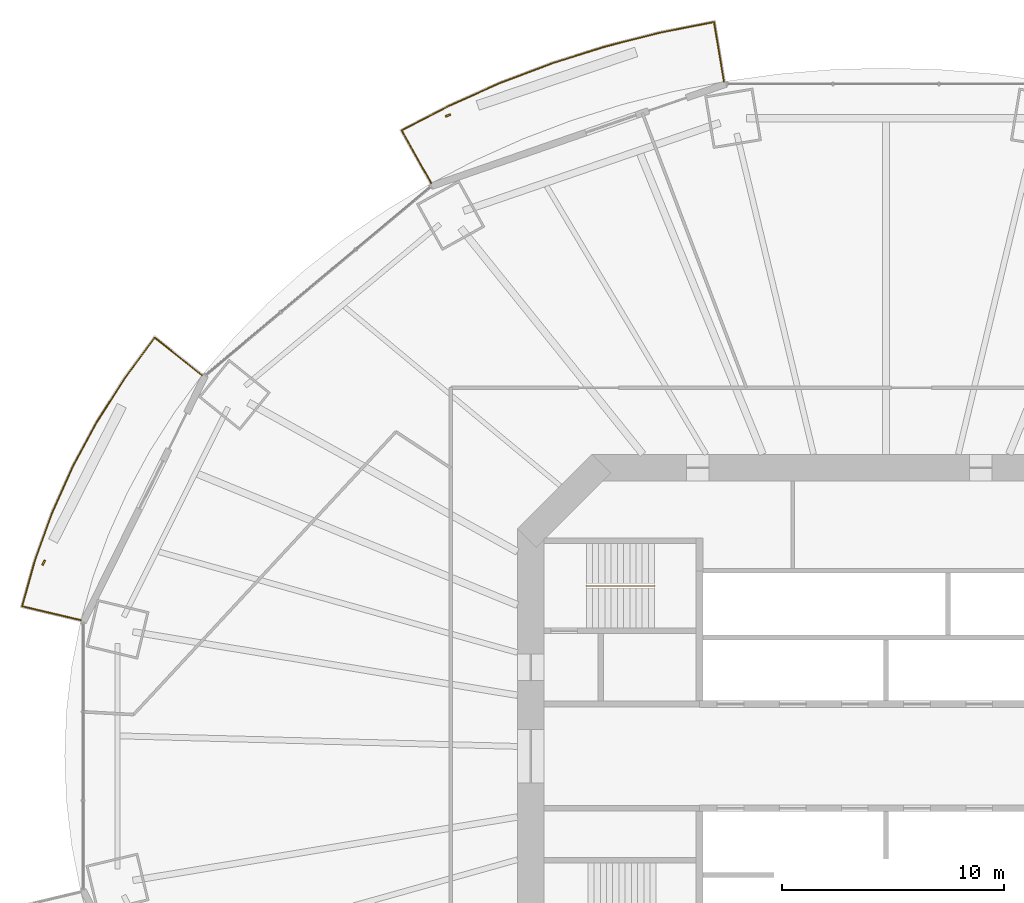
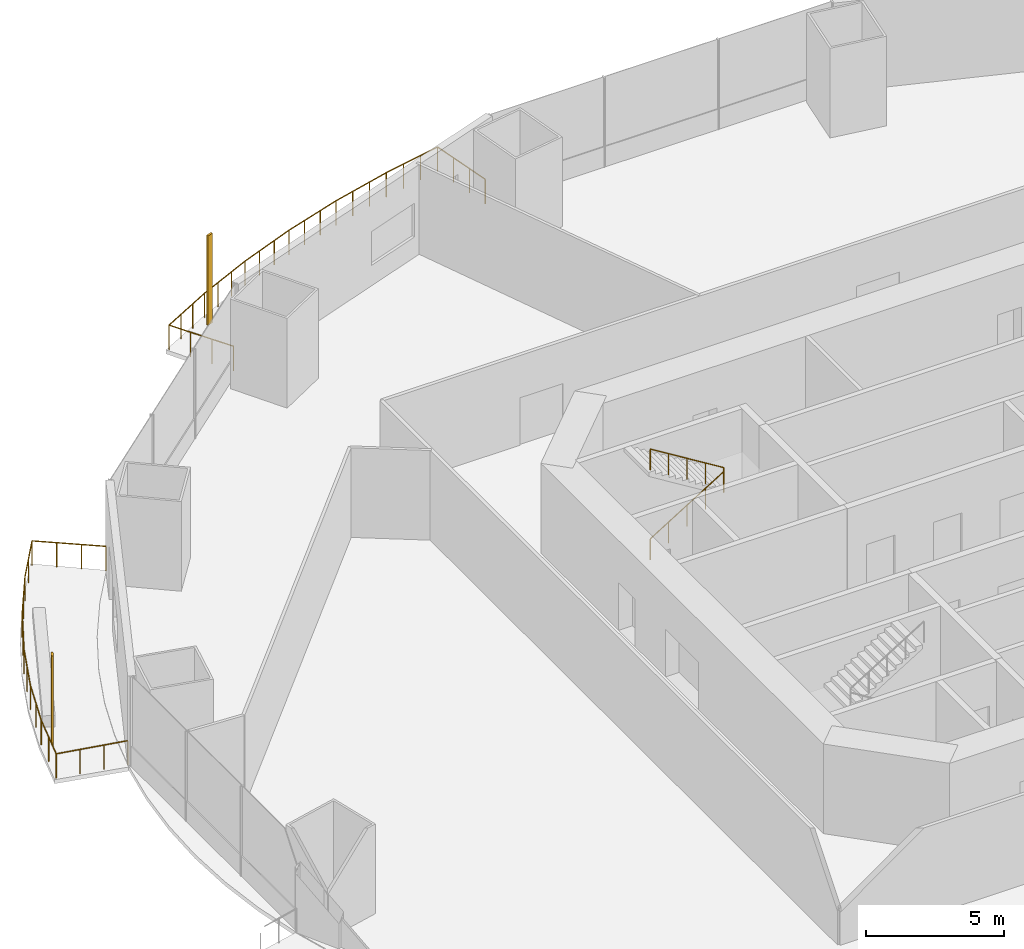
# One storey, part 20 of 23: 3 railings, 2 shading devices.
"""IFC4 building model written with IfcOpenShell, lengths in metres."""

import ifcopenshell
import ifcopenshell.guid

model = None  # the IFC model being written
_history = None  # IfcOwnerHistory: only IFC2X3 demands one
_inside = {}  # id of a spatial element -> (the spatial element, [elements in it])
_under = {}  # id of a project, library or spatial element -> (it, [spatial elements below it])
_declared = {}  # id of a project -> (the project, [libraries it declares])
_typed = {}  # id of a type object -> (the type object, [elements of that type])
_made_of = {}  # id of a material, layer set ... -> (it, [elements and type objects made of it])


def new_model(schema):
    """Start an empty IFC model of exactly this schema.

    Asked for "IFC4X3", IfcOpenShell would pick the latest addendum, in which some entities
    have other attributes; the version numbers below select the first issue.
    IFC2X3 requires an IfcOwnerHistory on every rooted entity: one is made here for all.
    """
    global model, _history
    if schema == "IFC4X3":
        model = ifcopenshell.file(schema_version=(4, 3, 0, 0))
    else:
        model = ifcopenshell.file(schema=schema)
    _inside.clear()
    _under.clear()
    _declared.clear()
    _typed.clear()
    _made_of.clear()
    _history = None
    if model.schema == "IFC2X3":
        org = make("IfcOrganization", Name="unknown")
        user = make(
            "IfcPersonAndOrganization",
            ThePerson=make("IfcPerson", FamilyName="unknown"),
            TheOrganization=org,
        )
        app = make(
            "IfcApplication",
            ApplicationDeveloper=org,
            Version="unknown",
            ApplicationFullName="unknown",
            ApplicationIdentifier="unknown",
        )
        _history = make(
            "IfcOwnerHistory",
            OwningUser=user,
            OwningApplication=app,
            ChangeAction="ADDED",
            CreationDate=0,
        )
    return model


def make(cls, **values):
    """One entity of the class cls with the attributes given. An attribute that is None is left unset."""
    return model.create_entity(
        cls, **{name: value for name, value in values.items() if value is not None}
    )


def rooted(cls, **values):
    """An entity with a GlobalId (a new one), such as an element, a storey or a relation."""
    return make(cls, GlobalId=ifcopenshell.guid.new(), OwnerHistory=_history, **values)


def si_unit(unit_type, name, prefix=None):
    """IfcSIUnit, for example si_unit("LENGTHUNIT", "METRE", prefix="MILLI")."""
    return make("IfcSIUnit", UnitType=unit_type, Prefix=prefix, Name=name)


def assignment(units):
    """IfcUnitAssignment: the units of a project."""
    return None if units is None else make("IfcUnitAssignment", Units=units)


def point(xyz):
    """IfcCartesianPoint."""
    return None if xyz is None else make("IfcCartesianPoint", Coordinates=xyz)


def direction(xyz):
    """IfcDirection."""
    return None if xyz is None else make("IfcDirection", DirectionRatios=xyz)


def frame(location, z_axis=None, x_axis=None):
    """IfcAxis2Placement3D, a coordinate frame: its origin and axes. An axis left out is left unset."""
    return make(
        "IfcAxis2Placement3D",
        Location=point(location),
        Axis=direction(z_axis),
        RefDirection=direction(x_axis),
    )


def frame_2d(location, x_axis=None):
    """IfcAxis2Placement2D, a coordinate frame in the plane: its origin and x axis."""
    return make(
        "IfcAxis2Placement2D", Location=point(location), RefDirection=direction(x_axis)
    )


def origin():
    """The frame at (0, 0, 0) with its axes left unset."""
    return frame((0.0, 0.0, 0.0))


def origin_2d():
    """The frame at (0, 0) in the plane with its x axis left unset."""
    return frame_2d((0.0, 0.0))


def place(relative_to, where):
    """IfcLocalPlacement: puts the frame where relative to a parent placement (None: the world)."""
    return make(
        "IfcLocalPlacement", PlacementRelTo=relative_to, RelativePlacement=where
    )


def context(
    kind, dimensions, precision=None, world=None, true_north=None, identifier=None
):
    """IfcGeometricRepresentationContext, for example the 3D "Model" context."""
    return make(
        "IfcGeometricRepresentationContext",
        ContextIdentifier=identifier,
        ContextType=kind,
        CoordinateSpaceDimension=dimensions,
        Precision=precision,
        WorldCoordinateSystem=world,
        TrueNorth=true_north,
    )


def subcontext(parent, identifier, kind, view, scale=None):
    """IfcGeometricRepresentationSubContext, for example "Body" below "Model"."""
    return make(
        "IfcGeometricRepresentationSubContext",
        ContextIdentifier=identifier,
        ContextType=kind,
        ParentContext=parent,
        TargetScale=scale,
        TargetView=view,
    )


def project(units=None, contexts=None):
    """IfcProject with its units and contexts."""
    return rooted(
        "IfcProject",
        Name="project",
        RepresentationContexts=contexts,
        UnitsInContext=assignment(units),
    )


def spatial(cls, under=None, at=None, **own):
    """A site, building, storey or space (cls), placed at a placement, below another one or the project."""
    s = rooted(cls, ObjectPlacement=at, **own)
    if under is not None:
        _under.setdefault(under.id(), (under, []))[1].append(s)
    return s


def profile(cls, at=None, kind="AREA", **sizes):
    """A parametric profile (cls). Its sizes go by their IFC names, for example OverallWidth=200.0."""
    return make(cls, ProfileType=kind, Position=at, **sizes)


def rectangle(**sizes):
    """IfcRectangleProfileDef."""
    return profile("IfcRectangleProfileDef", **sizes)


def circle(**sizes):
    """IfcCircleProfileDef."""
    return profile("IfcCircleProfileDef", **sizes)


def extrude(swept, where, along, depth):
    """IfcExtrudedAreaSolid: the profile swept, set in the frame where, extruded along a direction by depth."""
    return make(
        "IfcExtrudedAreaSolid",
        SweptArea=swept,
        Position=where,
        ExtrudedDirection=direction(along),
        Depth=depth,
    )


def shape(context_of_items, identifier, shape_type, items):
    """IfcShapeRepresentation: the items that make up one representation, for example the "Body"."""
    return make(
        "IfcShapeRepresentation",
        ContextOfItems=context_of_items,
        RepresentationIdentifier=identifier,
        RepresentationType=shape_type,
        Items=items,
    )


def material(Name=None, Category=None):
    """IfcMaterial."""
    return make("IfcMaterial", Name=Name, Category=Category)


def material_profile(
    of_material, cross_section, Name=None, Category=None, Priority=None
):
    """IfcMaterialProfile: a cross section and its material."""
    return make(
        "IfcMaterialProfile",
        Name=Name,
        Material=of_material,
        Profile=cross_section,
        Priority=Priority,
        Category=Category,
    )


def profile_set(profiles, Name=None, composite=None):
    """IfcMaterialProfileSet."""
    return make(
        "IfcMaterialProfileSet",
        Name=Name,
        MaterialProfiles=profiles,
        CompositeProfile=composite,
    )


def made_of(thing, what):
    """Note that an element or type object is made of a material, layer set ...; save() writes the relation."""
    if what is not None:
        _made_of.setdefault(what.id(), (what, []))[1].append(thing)
    return thing


def type_object(cls, material=None, **own):
    """A type object (cls), such as IfcWallType, which elements share."""
    return made_of(rooted(cls, **own), material)


def element(
    cls,
    number,
    at=None,
    inside=None,
    cuts=None,
    type_object=None,
    material=None,
    context=None,
    identifier="Body",
    shape_type=None,
    held_by="IfcProductDefinitionShape",
    body=None,
    shapes=None,
    **own,
):
    """One element of the class cls, such as IfcWall. Its Tag is "e" and its number.

    at: its placement. inside: the storey or other place that contains it. cuts: it is an
    opening in that element (IfcRelVoidsElement). A single representation is given by context,
    identifier, shape_type and body (its items); several are given by shapes. held_by: the class
    of the entity that holds the representations. save() writes the other relations.
    """
    e = rooted(cls, Tag="e%d" % number, ObjectPlacement=at, **own)
    if body is not None:
        shapes = [shape(context, identifier, shape_type, body)]
    if shapes is not None:
        e.Representation = make(held_by, Representations=shapes)
    if inside is not None:
        _inside.setdefault(inside.id(), (inside, []))[1].append(e)
    if cuts is not None:
        rooted(
            "IfcRelVoidsElement", RelatingBuildingElement=cuts, RelatedOpeningElement=e
        )
    if type_object is not None:
        _typed.setdefault(type_object.id(), (type_object, []))[1].append(e)
    return made_of(e, material)


def aggregate(whole, parts):
    """IfcRelAggregates: a whole, such as a stair, and the parts it consists of."""
    return rooted("IfcRelAggregates", RelatingObject=whole, RelatedObjects=parts)


def save(model, path):
    """Write the relations noted so far, then the file.

    IfcRelAggregates (storeys below a building ...), IfcRelContainedInSpatialStructure (elements
    in a storey), IfcRelDefinesByType, IfcRelAssociatesMaterial and IfcRelDeclares: one each for
    every whole, place, type object, material and project.
    """
    for whole, parts in _under.values():
        aggregate(whole, parts)
    for where, things in _inside.values():
        rooted(
            "IfcRelContainedInSpatialStructure",
            RelatedElements=things,
            RelatingStructure=where,
        )
    for kind, things in _typed.values():
        rooted("IfcRelDefinesByType", RelatedObjects=things, RelatingType=kind)
    for what, things in _made_of.values():
        rooted("IfcRelAssociatesMaterial", RelatedObjects=things, RelatingMaterial=what)
    for by, libraries in _declared.values():
        rooted("IfcRelDeclares", RelatingContext=by, RelatedDefinitions=libraries)
    model.write(path)


model = new_model("IFC4")

# Units and contexts
model_context = context("Model", 3, precision=1e-05, world=origin(), true_north=direction((0.0, 1.0)))
body_context = subcontext(model_context, "Body", "Model", "MODEL_VIEW")
ifc_project = project(units=[si_unit("LENGTHUNIT", "METRE"), si_unit("AREAUNIT", "SQUARE_METRE"), si_unit("VOLUMEUNIT", "CUBIC_METRE"), si_unit("PLANEANGLEUNIT", "RADIAN"), si_unit("MASSUNIT", "GRAM", prefix="KILO")], contexts=[model_context])

# Site, building, storey
site_placement = place(None, origin())
site = spatial("IfcSite", under=ifc_project, at=site_placement, CompositionType="ELEMENT")
building_placement = place(site_placement, origin())
building = spatial("IfcBuilding", under=site, at=building_placement, Name="Marenthal Gate Tower", CompositionType="ELEMENT")
storey_placement = place(building_placement, frame((0.0, 0.0, 41.300048828125)))
storey = spatial("IfcBuildingStorey", under=building, at=storey_placement, Name="L06", CompositionType="ELEMENT", Elevation=41.300048828125)

# Railings
ifc_material_1 = material(Name="Stainless steel", Category="steel")
railing_type_1 = type_object("IfcRailingType", Name="Balcony guard 1100", PredefinedType="GUARDRAIL", material=ifc_material_1)
railing_1_placement = place(storey_placement, frame((-20.486328125, 25.814697265625, 0.0)))
element("IfcRailing", 1, at=railing_1_placement, inside=storey, type_object=railing_type_1, Name="Balcony guard L06 bay 5", PredefinedType="GUARDRAIL", context=body_context, shape_type="SweptSolid", body=[
    extrude(circle(Radius=0.02392578125, at=origin_2d()), frame((0.0, 0.0, 1.076171875), z_axis=(-0.488673415611, 0.872342626214, -0.014718538138), x_axis=(-0.872437131701, -0.488726356184, 0.0)), (0.0, 0.0, 1.0), 2.72021484375),
    extrude(circle(Radius=0.02392578125, at=origin_2d()), frame((-1.329345703125, 2.373046875, 1.0361328125), z_axis=(0.887343289023, 0.461109409387, 0.0), x_axis=(-0.461109409387, 0.887343289023, 0.0)), (0.0, 0.0, 1.0), 2.401123046875),
    extrude(circle(Radius=0.02392578125, at=origin_2d()), frame((0.80126953125, 3.480224609375, 1.0361328125), z_axis=(0.912627469977, 0.4087922468, 0.0), x_axis=(-0.4087922468, 0.912627469977, 0.0)), (0.0, 0.0, 1.0), 2.499267578125),
    extrude(circle(Radius=0.02392578125, at=origin_2d()), frame((3.082275390625, 4.501953125, 1.0361328125), z_axis=(0.934889862007, 0.354937946572, 0.0), x_axis=(-0.354937946572, 0.934889862007, 0.0)), (0.0, 0.0, 1.0), 2.51611328125),
    extrude(circle(Radius=0.02392578125, at=origin_2d()), frame((5.4345703125, 5.39501953125, 1.0361328125), z_axis=(0.953699220219, 0.300762027778, 0.0), x_axis=(-0.300762027778, 0.953699220219, 0.0)), (0.0, 0.0, 1.0), 2.531005859375),
    extrude(circle(Radius=0.02392578125, at=origin_2d()), frame((7.848388671875, 6.15625, 1.0361328125), z_axis=(0.969175134663, 0.246372803593, 0.0), x_axis=(-0.246372803593, 0.969175134663, 0.0)), (0.0, 0.0, 1.0), 2.543701171875),
    extrude(circle(Radius=0.02392578125, at=origin_2d()), frame((10.313720703125, 6.782958984375, 1.0361328125), z_axis=(0.981295113893, 0.192509478854, 0.0), x_axis=(-0.192509478854, 0.981295113893, 0.0)), (0.0, 0.0, 1.0), 2.474365234375),
    extrude(circle(Radius=0.02392578125, at=origin_2d()), frame((12.74169921875, 7.25927734375, 1.0361328125), z_axis=(0.164512163182, -0.986265227064, 0.014719036968), x_axis=(0.986372081632, 0.164529986862, 0.0)), (0.0, 0.0, 1.0), 2.72021484375),
    extrude(circle(Radius=0.02099609375, at=origin_2d()), origin(), (0.0, 0.0, 1.0), 1.052001953125),
    extrude(circle(Radius=0.02099609375, at=origin_2d()), frame((-0.443115234375, 0.791015625, -0.013427734375)), (0.0, 0.0, 1.0), 1.052001953125),
    extrude(circle(Radius=0.02099609375, at=origin_2d()), frame((-0.88623046875, 1.58203125, -0.026611328125)), (0.0, 0.0, 1.0), 1.052001953125),
    extrude(circle(Radius=0.02099609375, at=origin_2d()), frame((-1.329345703125, 2.373046875, -0.0400390625)), (0.0, 0.0, 1.0), 1.052001953125),
    extrude(circle(Radius=0.02099609375, at=origin_2d()), frame((-0.619140625, 2.7421875, -0.0400390625)), (0.0, 0.0, 1.0), 1.052001953125),
    extrude(circle(Radius=0.02099609375, at=origin_2d()), frame((0.091064453125, 3.111083984375, -0.0400390625)), (0.0, 0.0, 1.0), 1.052001953125),
    extrude(circle(Radius=0.02099609375, at=origin_2d()), frame((0.80126953125, 3.480224609375, -0.0400390625)), (0.0, 0.0, 1.0), 1.052001953125),
    extrude(circle(Radius=0.02099609375, at=origin_2d()), frame((1.5615234375, 3.82080078125, -0.0400390625)), (0.0, 0.0, 1.0), 1.052001953125),
    extrude(circle(Radius=0.02099609375, at=origin_2d()), frame((2.322021484375, 4.161376953125, -0.0400390625)), (0.0, 0.0, 1.0), 1.052001953125),
    extrude(circle(Radius=0.02099609375, at=origin_2d()), frame((3.082275390625, 4.501953125, -0.0400390625)), (0.0, 0.0, 1.0), 1.052001953125),
    extrude(circle(Radius=0.02099609375, at=origin_2d()), frame((3.866455078125, 4.799560546875, -0.0400390625)), (0.0, 0.0, 1.0), 1.052001953125),
    extrude(circle(Radius=0.02099609375, at=origin_2d()), frame((4.650390625, 5.097412109375, -0.0400390625)), (0.0, 0.0, 1.0), 1.052001953125),
    extrude(circle(Radius=0.02099609375, at=origin_2d()), frame((5.4345703125, 5.39501953125, -0.0400390625)), (0.0, 0.0, 1.0), 1.052001953125),
    extrude(circle(Radius=0.02099609375, at=origin_2d()), frame((6.2392578125, 5.648681640625, -0.0400390625)), (0.0, 0.0, 1.0), 1.052001953125),
    extrude(circle(Radius=0.02099609375, at=origin_2d()), frame((7.043701171875, 5.902587890625, -0.0400390625)), (0.0, 0.0, 1.0), 1.052001953125),
    extrude(circle(Radius=0.02099609375, at=origin_2d()), frame((7.848388671875, 6.15625, -0.0400390625)), (0.0, 0.0, 1.0), 1.052001953125),
    extrude(circle(Radius=0.02099609375, at=origin_2d()), frame((8.670166015625, 6.365234375, -0.0400390625)), (0.0, 0.0, 1.0), 1.052001953125),
    extrude(circle(Radius=0.02099609375, at=origin_2d()), frame((9.491943359375, 6.573974609375, -0.0400390625)), (0.0, 0.0, 1.0), 1.052001953125),
    extrude(circle(Radius=0.02099609375, at=origin_2d()), frame((10.313720703125, 6.782958984375, -0.0400390625)), (0.0, 0.0, 1.0), 1.052001953125),
    extrude(circle(Radius=0.02099609375, at=origin_2d()), frame((11.123046875, 6.941650390625, -0.0400390625)), (0.0, 0.0, 1.0), 1.052001953125),
    extrude(circle(Radius=0.02099609375, at=origin_2d()), frame((11.932373046875, 7.1005859375, -0.0400390625)), (0.0, 0.0, 1.0), 1.052001953125),
    extrude(circle(Radius=0.02099609375, at=origin_2d()), frame((12.74169921875, 7.25927734375, -0.0400390625)), (0.0, 0.0, 1.0), 1.052001953125),
    extrude(circle(Radius=0.02099609375, at=origin_2d()), frame((12.890869140625, 6.364990234375, -0.026611328125)), (0.0, 0.0, 1.0), 1.052001953125),
    extrude(circle(Radius=0.02099609375, at=origin_2d()), frame((13.0400390625, 5.470703125, -0.013427734375)), (0.0, 0.0, 1.0), 1.052001953125),
    extrude(circle(Radius=0.02099609375, at=origin_2d()), frame((13.189208984375, 4.576416015625, 0.0)), (0.0, 0.0, 1.0), 1.052001953125),
])
railing_2_placement = place(storey_placement, frame((-36.2705078125, 6.125732421875, 0.0)))
element("IfcRailing", 2, at=railing_2_placement, inside=storey, type_object=railing_type_1, Name="Balcony guard L06 bay 7", PredefinedType="GUARDRAIL", context=body_context, shape_type="SweptSolid", body=[
    extrude(circle(Radius=0.02392578125, at=origin_2d()), frame((0.0, 0.0, 1.076171875), z_axis=(-0.972906523904, 0.230729884047, -0.014717892254), x_axis=(-0.230754878041, -0.973011914758, 0.0)), (0.0, 0.0, 1.0), 2.720458984375),
    extrude(circle(Radius=0.02392578125, at=origin_2d()), frame((-2.646728515625, 0.627685546875, 1.0361328125), z_axis=(0.269417915844, 0.963023357257, 0.0), x_axis=(-0.963023357257, 0.269417915844, 0.0)), (0.0, 0.0, 1.0), 2.178466796875),
    extrude(circle(Radius=0.02392578125, at=origin_2d()), frame((-2.059814453125, 2.7255859375, 1.0361328125), z_axis=(0.340490278663, 0.940248036497, 0.0), x_axis=(-0.940248036497, 0.340490278663, 0.0)), (0.0, 0.0, 1.0), 2.269287109375),
    extrude(circle(Radius=0.02392578125, at=origin_2d()), frame((-1.287109375, 4.859375, 1.0361328125), z_axis=(0.40965760042, 0.912239360266, 0.0), x_axis=(-0.912239360266, 0.40965760042, 0.0)), (0.0, 0.0, 1.0), 2.283203125),
    extrude(circle(Radius=0.02392578125, at=origin_2d()), frame((-0.351806640625, 6.942138671875, 1.0361328125), z_axis=(0.47570140033, 0.879606831331, 0.0), x_axis=(-0.879606831331, 0.47570140033, 0.0)), (0.0, 0.0, 1.0), 2.298828125),
    extrude(circle(Radius=0.02392578125, at=origin_2d()), frame((0.74169921875, 8.964111328125, 1.0361328125), z_axis=(0.537802777327, 0.843070680726, 0.0), x_axis=(-0.843070680726, 0.537802777327, 0.0)), (0.0, 0.0, 1.0), 2.316162109375),
    extrude(circle(Radius=0.02392578125, at=origin_2d()), frame((1.9873046875, 10.916748046875, 1.0361328125), z_axis=(0.59494792191, 0.803764250396, 0.0), x_axis=(-0.803764250396, 0.59494792191, 0.0)), (0.0, 0.0, 1.0), 2.25537109375),
    extrude(circle(Radius=0.02392578125, at=origin_2d()), frame((3.3291015625, 12.7294921875, 1.0361328125), z_axis=(0.781982350804, -0.623126760201, 0.014718823084), x_axis=(0.62319426943, 0.782067070365, 0.0)), (0.0, 0.0, 1.0), 2.72021484375),
    extrude(circle(Radius=0.02099609375, at=origin_2d()), origin(), (0.0, 0.0, 1.0), 1.052001953125),
    extrude(circle(Radius=0.02099609375, at=origin_2d()), frame((-0.88232421875, 0.209228515625, -0.013427734375)), (0.0, 0.0, 1.0), 1.052001953125),
    extrude(circle(Radius=0.02099609375, at=origin_2d()), frame((-1.764404296875, 0.41845703125, -0.026611328125)), (0.0, 0.0, 1.0), 1.052001953125),
    extrude(circle(Radius=0.02099609375, at=origin_2d()), frame((-2.646728515625, 0.627685546875, -0.0400390625)), (0.0, 0.0, 1.0), 1.052001953125),
    extrude(circle(Radius=0.02099609375, at=origin_2d()), frame((-2.353271484375, 1.6767578125, -0.0400390625)), (0.0, 0.0, 1.0), 1.052001953125),
    extrude(circle(Radius=0.02099609375, at=origin_2d()), frame((-2.059814453125, 2.7255859375, -0.0400390625)), (0.0, 0.0, 1.0), 1.052001953125),
    extrude(circle(Radius=0.02099609375, at=origin_2d()), frame((-1.67333984375, 3.79248046875, -0.0400390625)), (0.0, 0.0, 1.0), 1.052001953125),
    extrude(circle(Radius=0.02099609375, at=origin_2d()), frame((-1.287109375, 4.859375, -0.0400390625)), (0.0, 0.0, 1.0), 1.052001953125),
    extrude(circle(Radius=0.02099609375, at=origin_2d()), frame((-0.8193359375, 5.90087890625, -0.0400390625)), (0.0, 0.0, 1.0), 1.052001953125),
    extrude(circle(Radius=0.02099609375, at=origin_2d()), frame((-0.351806640625, 6.942138671875, -0.0400390625)), (0.0, 0.0, 1.0), 1.052001953125),
    extrude(circle(Radius=0.02099609375, at=origin_2d()), frame((0.19482421875, 7.953125, -0.0400390625)), (0.0, 0.0, 1.0), 1.052001953125),
    extrude(circle(Radius=0.02099609375, at=origin_2d()), frame((0.74169921875, 8.964111328125, -0.0400390625)), (0.0, 0.0, 1.0), 1.052001953125),
    extrude(circle(Radius=0.02099609375, at=origin_2d()), frame((1.364501953125, 9.9404296875, -0.0400390625)), (0.0, 0.0, 1.0), 1.052001953125),
    extrude(circle(Radius=0.02099609375, at=origin_2d()), frame((1.9873046875, 10.916748046875, -0.0400390625)), (0.0, 0.0, 1.0), 1.052001953125),
    extrude(circle(Radius=0.02099609375, at=origin_2d()), frame((2.658203125, 11.8232421875, -0.0400390625)), (0.0, 0.0, 1.0), 1.052001953125),
    extrude(circle(Radius=0.02099609375, at=origin_2d()), frame((3.3291015625, 12.7294921875, -0.0400390625)), (0.0, 0.0, 1.0), 1.052001953125),
    extrude(circle(Radius=0.02099609375, at=origin_2d()), frame((4.0380859375, 12.16455078125, -0.026611328125)), (0.0, 0.0, 1.0), 1.052001953125),
    extrude(circle(Radius=0.02099609375, at=origin_2d()), frame((4.747314453125, 11.599365234375, -0.013427734375)), (0.0, 0.0, 1.0), 1.052001953125),
    extrude(circle(Radius=0.02099609375, at=origin_2d()), frame((5.456298828125, 11.034423828125, 0.0)), (0.0, 0.0, 1.0), 1.052001953125),
])
ifc_material_2 = material(Name="Stainless steel", Category="steel")
railing_type_2 = type_object("IfcRailingType", Name="Stair handrail", PredefinedType="HANDRAIL", material=ifc_material_2)
railing_3_placement = place(storey_placement, frame((-13.5, 7.675048828125, 0.1728515625)))
element("IfcRailing", 3, at=railing_3_placement, inside=storey, type_object=railing_type_2, Name="Handrail ST1", PredefinedType="HANDRAIL", context=body_context, shape_type="SweptSolid", body=[
    extrude(circle(Radius=0.0224609375, at=origin_2d()), frame((0.0, 0.0, 0.927490234375), z_axis=(0.850835241893, 0.0, 0.525432575268), x_axis=(0.0, 1.0, 0.0)), (0.0, 0.0, 1.0), 3.6201171875),
    extrude(circle(Radius=0.0224609375, at=origin_2d()), frame((3.080078125, 0.0, 2.82958984375), z_axis=(0.0, 0.0, 1.0), x_axis=(1.0, 0.0, 0.0)), (0.0, 0.0, 1.0), 0.1728515625),
    extrude(circle(Radius=0.0224609375, at=origin_2d()), frame((3.080078125, 0.0, 3.00244140625), z_axis=(-0.850835241893, 0.0, 0.525432575268), x_axis=(0.0, -1.0, 0.0)), (0.0, 0.0, 1.0), 3.6201171875),
    extrude(circle(Radius=0.02001953125, at=origin_2d()), origin(), (0.0, 0.0, 1.0), 0.905029296875),
    extrude(circle(Radius=0.02001953125, at=origin_2d()), frame((0.77001953125, 0.0, 0.4755859375)), (0.0, 0.0, 1.0), 0.905029296875),
    extrude(circle(Radius=0.02001953125, at=origin_2d()), frame((1.5400390625, 0.0, 0.951171875)), (0.0, 0.0, 1.0), 0.905029296875),
    extrude(circle(Radius=0.02001953125, at=origin_2d()), frame((2.31005859375, 0.0, 1.426513671875)), (0.0, 0.0, 1.0), 0.905029296875),
    extrude(circle(Radius=0.02001953125, at=origin_2d()), frame((3.080078125, 0.0, 1.902099609375)), (0.0, 0.0, 1.0), 0.905029296875),
    extrude(circle(Radius=0.02001953125, at=origin_2d()), frame((3.080078125, 0.0, 2.074951171875)), (0.0, 0.0, 1.0), 0.905029296875),
    extrude(circle(Radius=0.02001953125, at=origin_2d()), frame((2.31005859375, 0.0, 2.550537109375)), (0.0, 0.0, 1.0), 0.905029296875),
    extrude(circle(Radius=0.02001953125, at=origin_2d()), frame((1.5400390625, 0.0, 3.02587890625)), (0.0, 0.0, 1.0), 0.905029296875),
    extrude(circle(Radius=0.02001953125, at=origin_2d()), frame((0.77001953125, 0.0, 3.50146484375)), (0.0, 0.0, 1.0), 0.905029296875),
    extrude(circle(Radius=0.02001953125, at=origin_2d()), frame((0.0, 0.0, 3.97705078125)), (0.0, 0.0, 1.0), 0.905029296875),
])

# Shading devices
ifc_material_3 = material(Name="Terracotta", Category="masonry")
ifc_material_profile = material_profile(ifc_material_3, rectangle(XDim=0.25, YDim=0.080078125, at=origin_2d()), Name="Terracotta baguette 250x80")
ifc_profile_set = profile_set([ifc_material_profile], Name="Terracotta")
shading_device_type = type_object("IfcShadingDeviceType", Name="Terracotta BAGUETTE SCREEN 250x80", PredefinedType="USERDEFINED", material=ifc_profile_set)
for number, where, z_axis, x_axis, name in (
    (4, (-19.730712890625, 28.861572265625, -0.0400390625), (0.0, 0.0, 1.0), (-0.944708230663, -0.327912120725, 0.0), "Terracotta BAGUETTE L06 bay 5R"),
    (5, (-37.94921875, 8.7177734375, -0.0400390625), (0.0, 0.0, 1.0), (-0.443119622411, -0.896462492374, 0.0), "Terracotta BAGUETTE L06 bay 7R"),
):
    element("IfcShadingDevice", number, at=place(storey_placement, frame(where, z_axis=z_axis, x_axis=x_axis)), inside=storey, type_object=shading_device_type, Name=name, ObjectType="BAGUETTE SCREEN", PredefinedType="USERDEFINED", context=body_context, shape_type="SweptSolid", body=[
        extrude(rectangle(XDim=0.25, YDim=0.080078125, at=origin_2d()), origin(), (0.0, 0.0, 1.0), 3.969970703125),
    ])

save(model, "model.ifc")
